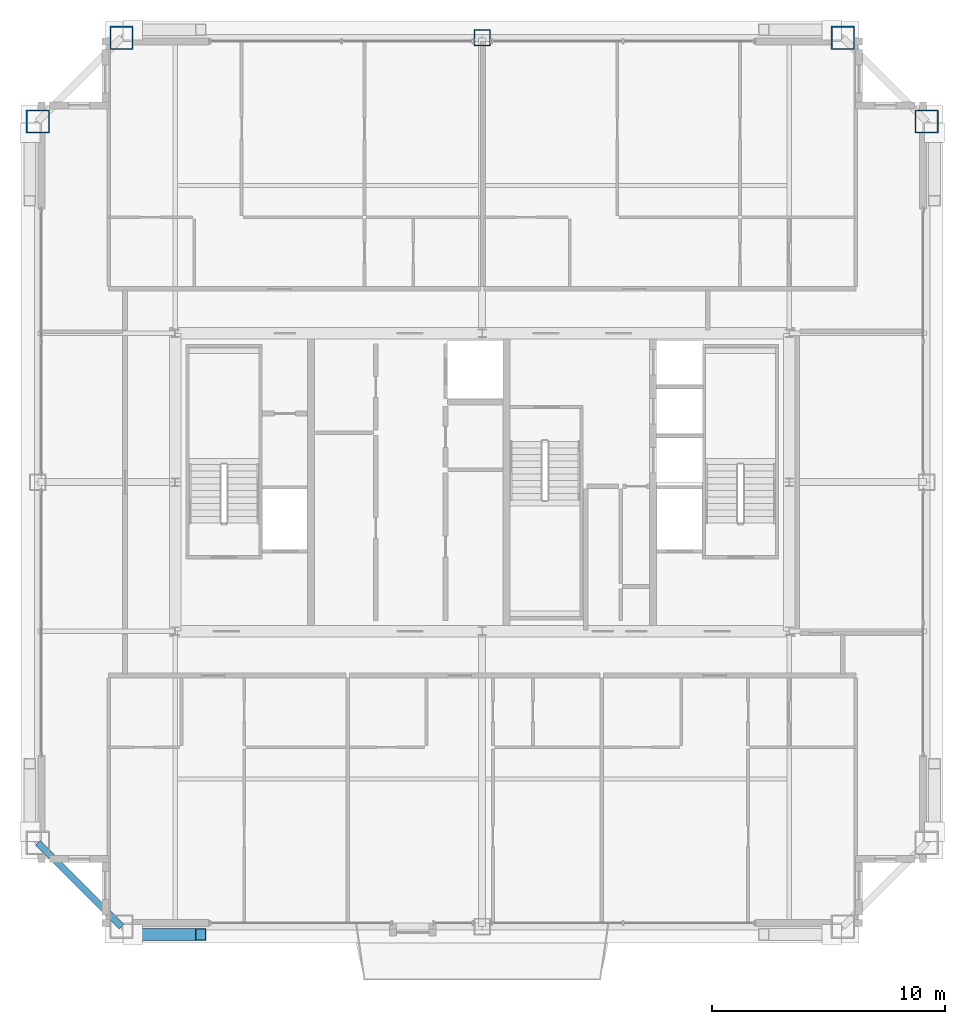
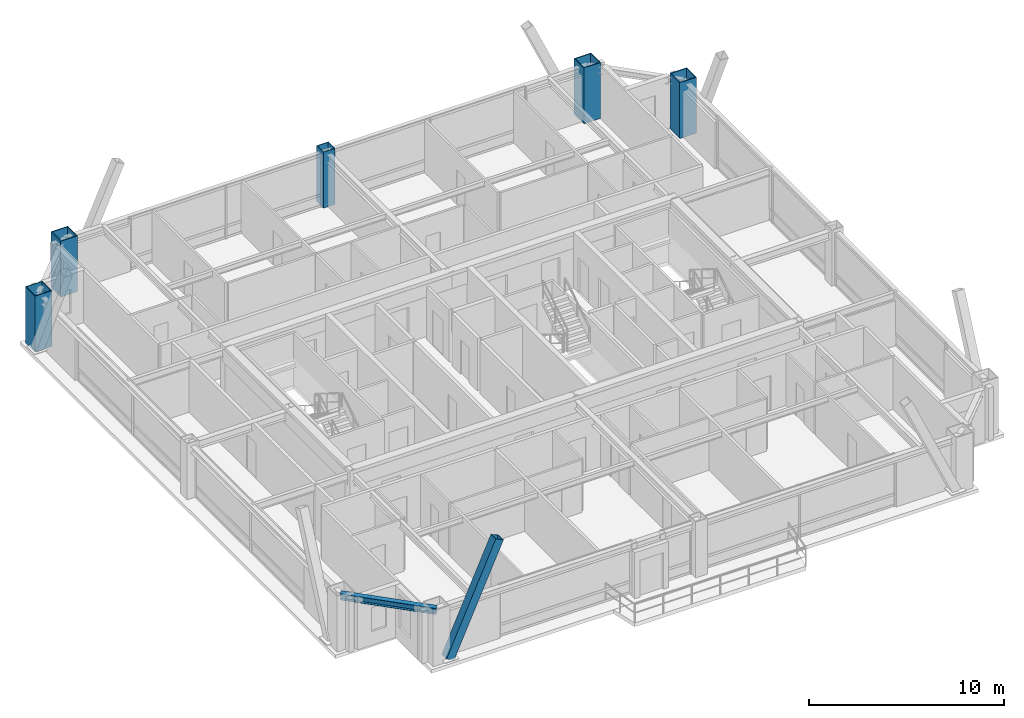
# One storey, part 3 of 35: 5 columns, 1 beam, 1 member.
"""IFC4 building model written with IfcOpenShell, lengths in metres."""

from ifc_helpers import new_model, si_unit, direction, frame, origin, origin_2d, place, context, subcontext, project, spatial, hollow_rectangle, i_section, extrude, source, transform, mapped, material, material_profile, profile_set, type_object, element, save


model = new_model("IFC4")

# Units and contexts
model_context = context("Model", 3, precision=1e-05, world=origin(), true_north=direction((0.0, 1.0)))
body_context = subcontext(model_context, "Body", "Model", "MODEL_VIEW")
ifc_project = project(units=[si_unit("LENGTHUNIT", "METRE"), si_unit("AREAUNIT", "SQUARE_METRE"), si_unit("VOLUMEUNIT", "CUBIC_METRE"), si_unit("PLANEANGLEUNIT", "RADIAN"), si_unit("MASSUNIT", "GRAM", prefix="KILO"), si_unit("THERMODYNAMICTEMPERATUREUNIT", "KELVIN"), si_unit("POWERUNIT", "WATT")], contexts=[model_context])

# Site, building, storey
site_placement = place(None, origin())
site = spatial("IfcSite", under=ifc_project, at=site_placement, CompositionType="ELEMENT")
building_placement = place(site_placement, origin())
building = spatial("IfcBuilding", under=site, at=building_placement, Name="Yuzanri Waterfront Tower", CompositionType="ELEMENT")
storey_placement = place(building_placement, frame((0.0, 0.0, 314.699951171875)))
storey = spatial("IfcBuildingStorey", under=building, at=storey_placement, Name="L84", CompositionType="ELEMENT", Elevation=314.699951171875)

# Columns
ifc_material_1 = material(Name="Steel Q355B", Category="steel")
ifc_material_profile_1 = material_profile(ifc_material_1, hollow_rectangle(XDim=0.699951171875, YDim=0.699951171875, WallThickness=0.031982421875, at=origin_2d()), Name="RHS 700x700x32")
ifc_profile_set_1 = profile_set([ifc_material_profile_1], Name="Steel Q355B")
column_type_1 = type_object("IfcColumnType", Name="Frame Column Q355B RHS 700x700x32", PredefinedType="COLUMN", material=ifc_profile_set_1)
shared_shape_1 = source(origin(), body_context, "Body", "SweptSolid", [
    extrude(hollow_rectangle(XDim=0.699951171875, YDim=0.699951171875, WallThickness=0.031982421875, at=origin_2d()), origin(), (0.0, 0.0, 1.0), 3.5),
])
column_placement = place(storey_placement, frame((37.0, 44.89990234375, 0.0), z_axis=(0.0, 0.0, 1.0), x_axis=(1.0, 0.0, 0.0)))
element("IfcColumn", 1, at=column_placement, inside=storey, type_object=column_type_1, Name="L84 Perimeter Frame Column N2", PredefinedType="COLUMN", context=body_context, shape_type="MappedRepresentation", body=[
    mapped(shared_shape_1, transform((0.0, 0.0, 0.0), scale=1.0)),
])
ifc_material_2 = material(Name="Steel Q390GJC", Category="steel")
ifc_material_profile_2 = material_profile(ifc_material_2, hollow_rectangle(XDim=1.0, YDim=1.0, WallThickness=0.048095703125, at=origin_2d()), Name="RHS 1000x1000x48")
ifc_profile_set_2 = profile_set([ifc_material_profile_2], Name="Steel Q390GJC")
column_type_2 = type_object("IfcColumnType", Name="Mega Column Q390GJC RHS 1000x1000x48", PredefinedType="COLUMN", material=ifc_profile_set_2)
shared_shape_2 = source(origin(), body_context, "Body", "SweptSolid", [
    extrude(hollow_rectangle(XDim=1.0, YDim=1.0, WallThickness=0.048095703125, at=origin_2d()), origin(), (0.0, 0.0, 1.0), 3.5),
])
for number, where, z_axis, x_axis, name in (
    (2, (21.5, 44.89990234375, 0.0), (0.0, 0.0, 1.0), (1.0, 0.0, 0.0), "L84 Perimeter Mega Column N1"),
    (3, (52.5, 44.89990234375, 0.0), (0.0, 0.0, 1.0), (1.0, 0.0, 0.0), "L84 Perimeter Mega Column N3"),
    (4, (17.89990234375, 41.300048828125, 0.0), (0.0, 0.0, 1.0), (1.0, 0.0, 0.0), "L84 Perimeter Mega Column W3"),
    (5, (56.10009765625, 41.300048828125, 0.0), (0.0, 0.0, 1.0), (1.0, 0.0, 0.0), "L84 Perimeter Mega Column E3"),
):
    element("IfcColumn", number, at=place(storey_placement, frame(where, z_axis=z_axis, x_axis=x_axis)), inside=storey, type_object=column_type_2, Name=name, PredefinedType="COLUMN", context=body_context, shape_type="MappedRepresentation", body=[
        mapped(shared_shape_2, transform((0.0, 0.0, 0.0), scale=1.0)),
    ])

# Beam
ifc_material_3 = material(Name="Steel Q355B", Category="steel")
ifc_material_profile_3 = material_profile(ifc_material_3, i_section(OverallWidth=0.300048828125, OverallDepth=0.389892578125, WebThickness=0.010009765625, FlangeThickness=0.01611328125, at=origin_2d()), Name="HM 390x300x10x16")
ifc_profile_set_3 = profile_set([ifc_material_profile_3], Name="Steel Q355B")
beam_type = type_object("IfcBeamType", Name="Perimeter Spandrel Q355B HM 390x300", PredefinedType="SPANDREL", material=ifc_profile_set_3)
shared_shape_3 = source(origin(), body_context, "Body", "SweptSolid", [
    extrude(i_section(OverallWidth=0.300048828125, OverallDepth=0.389892578125, WebThickness=0.010009765625, FlangeThickness=0.01611328125, at=origin_2d()), origin(), (0.0, 0.0, 1.0), 5.09130859375),
])
beam_placement = place(storey_placement, frame((17.89990234375, 10.300048828125, 3.0849609375), z_axis=(0.707106781187, -0.707106781187, 0.0), x_axis=(0.707106781187, 0.707106781187, 0.0)))
element("IfcBeam", 6, at=beam_placement, inside=storey, type_object=beam_type, Name="L84 Perimeter Spandrel W1-S1", PredefinedType="SPANDREL", context=body_context, shape_type="MappedRepresentation", body=[
    mapped(shared_shape_3, transform((0.0, 0.0, 0.0), scale=1.0)),
])

# Member
ifc_material_4 = material(Name="Steel Q390GJC", Category="steel")
ifc_material_profile_4 = material_profile(ifc_material_4, hollow_rectangle(XDim=0.5, YDim=0.5, WallThickness=0.02197265625, at=origin_2d()), Name="RHS 500x500x22")
ifc_profile_set_4 = profile_set([ifc_material_profile_4], Name="Steel Q390GJC")
member_type = type_object("IfcMemberType", Name="Mega Brace Upper Q390GJC RHS 500x500x22", PredefinedType="BRACE", material=ifc_profile_set_4)
shared_shape_4 = source(origin(), body_context, "Body", "SweptSolid", [
    extrude(hollow_rectangle(XDim=0.5, YDim=0.5, WallThickness=0.02197265625, at=origin_2d()), origin(), (0.0, 0.0, 1.0), 7.125732421875),
])
member_placement = place(storey_placement, frame((21.97998046875, 6.360107421875, 0.179931640625), z_axis=(0.409771952938, 0.0, 0.912187999584), x_axis=(0.0, 1.0, 0.0)))
element("IfcMember", 7, at=member_placement, inside=storey, type_object=member_type, Name="L84-L85 Perimeter Mega-Brace S-L", PredefinedType="BRACE", context=body_context, shape_type="MappedRepresentation", body=[
    mapped(shared_shape_4, transform((0.0, 0.0, 0.0), scale=1.0)),
])

save(model, "model.ifc")
